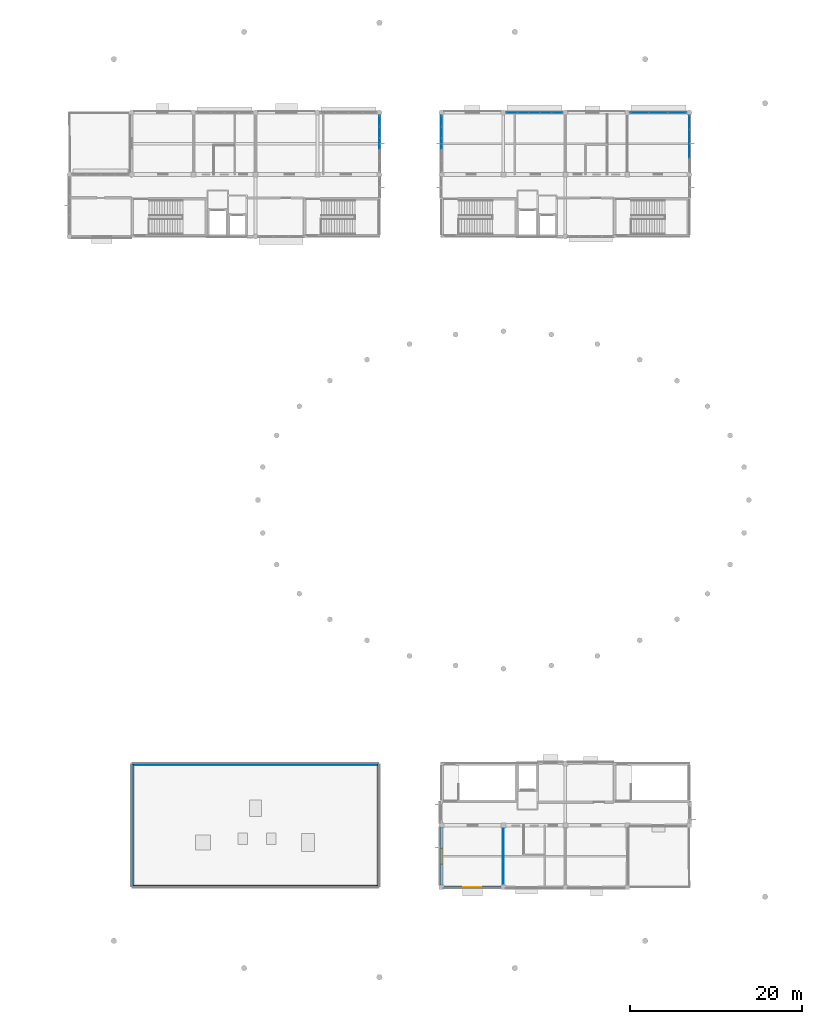
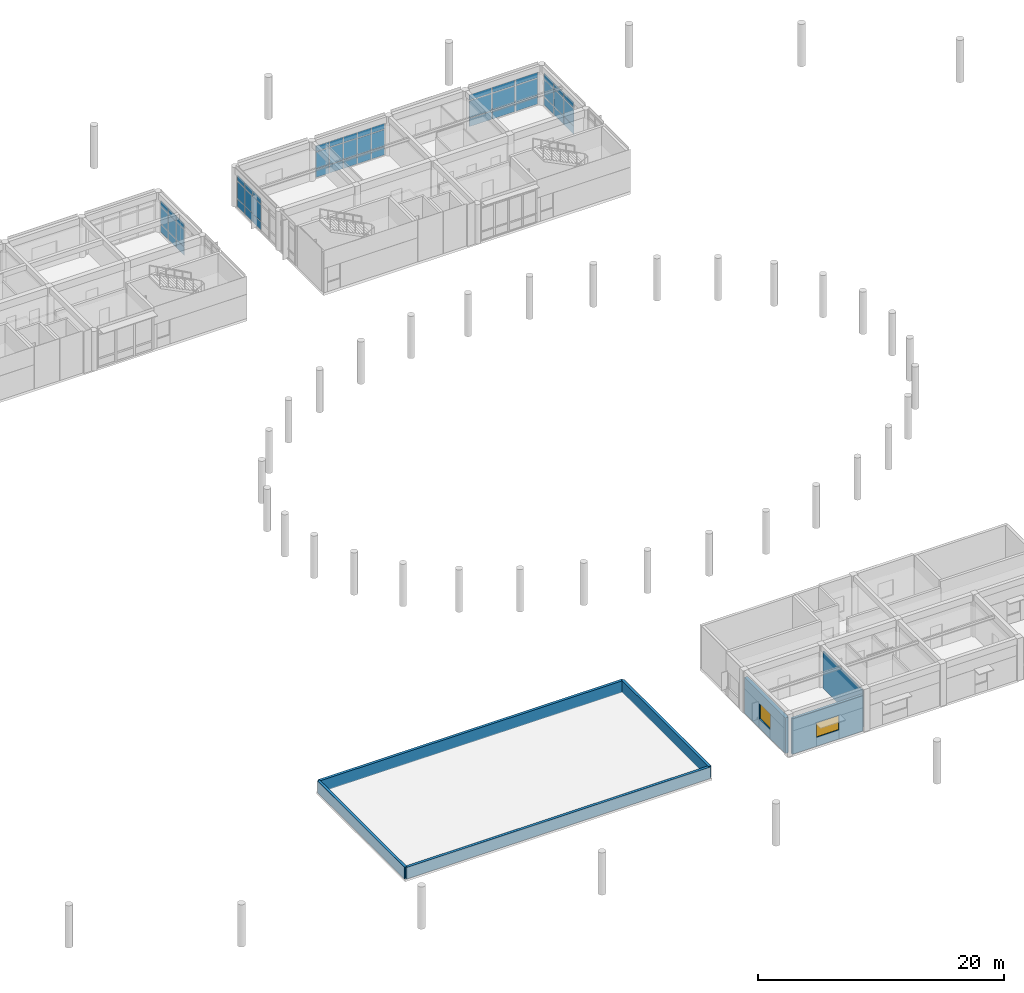
# One storey, part 11 of 29: 51 plates, 7 walls, 2 windows, 2 openings, 5 elements without a shape of their own.
"""IFC4 building model written with IfcOpenShell, lengths in metres."""

from ifc_helpers import new_model, si_unit, direction, frame, frame_2d, origin, origin_2d, place, context, subcontext, project, spatial, rectangle, extrude, material, layer, layer_set, type_object, element, fill, aggregate, save


model = new_model("IFC4")

# Units and contexts
model_context = context("Model", 3, precision=1e-05, world=origin(), true_north=direction((0.0, 1.0)))
body_context = subcontext(model_context, "Body", "Model", "MODEL_VIEW")
ifc_project = project(units=[si_unit("LENGTHUNIT", "METRE"), si_unit("AREAUNIT", "SQUARE_METRE"), si_unit("VOLUMEUNIT", "CUBIC_METRE"), si_unit("PLANEANGLEUNIT", "RADIAN"), si_unit("MASSUNIT", "GRAM", prefix="KILO")], contexts=[model_context])

# Site, building, storey
site_placement = place(None, origin())
site = spatial("IfcSite", under=ifc_project, at=site_placement, CompositionType="ELEMENT")
building_placement = place(site_placement, origin())
building = spatial("IfcBuilding", under=site, at=building_placement, Name="Namkhue Oval Health Centre", CompositionType="ELEMENT")
storey_placement = place(building_placement, frame((0.0, 0.0, 18.0)))
storey = spatial("IfcBuildingStorey", under=building, at=storey_placement, Name="L04", CompositionType="ELEMENT", Elevation=18.0)

# Curtain wall, plates
ifc_material_1 = material(Name="Anodised aluminium EN AW-6063 T6", Category="aluminium")
ifc_layer_1 = layer(ifc_material_1, 0.159912109375)
ifc_layer_set_1 = layer_set([ifc_layer_1], Name="Anodised aluminium EN AW-6063 T6")
curtain_wall_type_1 = type_object("IfcCurtainWallType", Name="UNITISED CURTAIN WALL M1800", PredefinedType="NOTDEFINED", material=ifc_layer_set_1)
curtain_wall_1_placement = place(storey_placement, origin())
curtain_wall_1 = element("IfcCurtainWall", 1, at=curtain_wall_1_placement, inside=storey, type_object=curtain_wall_type_1, Name="Volume V3 L04 Unitised Curtain Wall 125", PredefinedType="NOTDEFINED")
ifc_material_2 = material(Name="Thermally broken low-E laminated double glazing", Category="glass")
ifc_layer_2 = layer(ifc_material_2, 0.02587890625)
ifc_layer_set_2 = layer_set([ifc_layer_2], Name="Thermally broken low-E laminated double glazing")
plate_type_1 = type_object("IfcPlateType", Name="CURTAIN WALL GLAZED PANEL 26", PredefinedType="CURTAIN_PANEL", material=ifc_layer_set_2)
plate_1_placement = place(storey_placement, frame((122.39990234375, 99.9775390625, 0.06494140625), z_axis=(0.0, 0.0, 1.0), x_axis=(0.0, 1.0, 0.0)))
plate_1 = element("IfcPlate", 2, at=plate_1_placement, type_object=plate_type_1, Name="CW-05 panel 2.1", PredefinedType="CURTAIN_PANEL", context=body_context, shape_type="SweptSolid", body=[
    extrude(rectangle(XDim=1.580078125, YDim=0.02587890625, at=origin_2d()), origin(), (0.0, 0.0, 1.0), 0.802490234375),
])
plate_2_placement = place(storey_placement, frame((122.39990234375, 99.9775390625, 0.932373046875), z_axis=(0.0, 0.0, 1.0), x_axis=(0.0, 1.0, 0.0)))
plate_2 = element("IfcPlate", 3, at=plate_2_placement, type_object=plate_type_1, Name="CW-05 panel 2.2", PredefinedType="CURTAIN_PANEL", context=body_context, shape_type="SweptSolid", body=[
    extrude(rectangle(XDim=1.580078125, YDim=0.02587890625, at=origin_2d()), origin(), (0.0, 0.0, 1.0), 1.68701171875),
])
plate_3_placement = place(storey_placement, frame((122.39990234375, 99.9775390625, 2.6845703125), z_axis=(0.0, 0.0, 1.0), x_axis=(0.0, 1.0, 0.0)))
plate_3 = element("IfcPlate", 4, at=plate_3_placement, type_object=plate_type_1, Name="CW-05 panel 2.3", PredefinedType="CURTAIN_PANEL", context=body_context, shape_type="SweptSolid", body=[
    extrude(rectangle(XDim=1.580078125, YDim=0.02587890625, at=origin_2d()), origin(), (0.0, 0.0, 1.0), 0.552490234375),
])
plate_4_placement = place(storey_placement, frame((122.39990234375, 101.62255859375, 0.06494140625), z_axis=(0.0, 0.0, 1.0), x_axis=(0.0, 1.0, 0.0)))
plate_4 = element("IfcPlate", 5, at=plate_4_placement, type_object=plate_type_1, Name="CW-05 panel 3.1", PredefinedType="CURTAIN_PANEL", context=body_context, shape_type="SweptSolid", body=[
    extrude(rectangle(XDim=1.580078125, YDim=0.02587890625, at=origin_2d()), origin(), (0.0, 0.0, 1.0), 0.802490234375),
])
plate_5_placement = place(storey_placement, frame((122.39990234375, 101.62255859375, 0.932373046875), z_axis=(0.0, 0.0, 1.0), x_axis=(0.0, 1.0, 0.0)))
plate_5 = element("IfcPlate", 6, at=plate_5_placement, type_object=plate_type_1, Name="CW-05 panel 3.2", PredefinedType="CURTAIN_PANEL", context=body_context, shape_type="SweptSolid", body=[
    extrude(rectangle(XDim=1.580078125, YDim=0.02587890625, at=origin_2d()), origin(), (0.0, 0.0, 1.0), 1.68701171875),
])
plate_6_placement = place(storey_placement, frame((122.39990234375, 101.62255859375, 2.6845703125), z_axis=(0.0, 0.0, 1.0), x_axis=(0.0, 1.0, 0.0)))
plate_6 = element("IfcPlate", 7, at=plate_6_placement, type_object=plate_type_1, Name="CW-05 panel 3.3", PredefinedType="CURTAIN_PANEL", context=body_context, shape_type="SweptSolid", body=[
    extrude(rectangle(XDim=1.580078125, YDim=0.02587890625, at=origin_2d()), origin(), (0.0, 0.0, 1.0), 0.552490234375),
])
plate_7_placement = place(storey_placement, frame((122.39990234375, 103.251220703125, 0.06494140625), z_axis=(0.0, 0.0, 1.0), x_axis=(0.0, 1.0, 0.0)))
plate_7 = element("IfcPlate", 8, at=plate_7_placement, type_object=plate_type_1, Name="CW-05 panel 4.1", PredefinedType="CURTAIN_PANEL", context=body_context, shape_type="SweptSolid", body=[
    extrude(rectangle(XDim=1.547607421875, YDim=0.02587890625, at=origin_2d()), origin(), (0.0, 0.0, 1.0), 0.802490234375),
])
plate_8_placement = place(storey_placement, frame((122.39990234375, 103.251220703125, 0.932373046875), z_axis=(0.0, 0.0, 1.0), x_axis=(0.0, 1.0, 0.0)))
plate_8 = element("IfcPlate", 9, at=plate_8_placement, type_object=plate_type_1, Name="CW-05 panel 4.2", PredefinedType="CURTAIN_PANEL", context=body_context, shape_type="SweptSolid", body=[
    extrude(rectangle(XDim=1.547607421875, YDim=0.02587890625, at=origin_2d()), origin(), (0.0, 0.0, 1.0), 1.68701171875),
])
plate_9_placement = place(storey_placement, frame((122.39990234375, 103.251220703125, 2.6845703125), z_axis=(0.0, 0.0, 1.0), x_axis=(0.0, 1.0, 0.0)))
plate_9 = element("IfcPlate", 10, at=plate_9_placement, type_object=plate_type_1, Name="CW-05 panel 4.3", PredefinedType="CURTAIN_PANEL", context=body_context, shape_type="SweptSolid", body=[
    extrude(rectangle(XDim=1.547607421875, YDim=0.02587890625, at=origin_2d()), origin(), (0.0, 0.0, 1.0), 0.552490234375),
])
aggregate(curtain_wall_1, [plate_1, plate_2, plate_3, plate_4, plate_5, plate_6, plate_7, plate_8, plate_9])

ifc_layer_3 = layer(ifc_material_1, 0.159912109375)
ifc_layer_set_3 = layer_set([ifc_layer_3], Name="Anodised aluminium EN AW-6063 T6")
curtain_wall_type_2 = type_object("IfcCurtainWallType", Name="UNITISED CURTAIN WALL M2000", PredefinedType="NOTDEFINED", material=ifc_layer_set_3)
curtain_wall_2_placement = place(storey_placement, origin())
curtain_wall_2 = element("IfcCurtainWall", 11, at=curtain_wall_2_placement, inside=storey, type_object=curtain_wall_type_2, Name="Volume V3 L04 Unitised Curtain Wall 126", PredefinedType="NOTDEFINED")
ifc_layer_4 = layer(ifc_material_2, 0.028076171875)
ifc_layer_set_4 = layer_set([ifc_layer_4], Name="Thermally broken low-E laminated double glazing")
plate_type_2 = type_object("IfcPlateType", Name="CURTAIN WALL GLAZED PANEL 28", PredefinedType="CURTAIN_PANEL", material=ifc_layer_set_4)
plate_10_placement = place(storey_placement, frame((120.974609375, 104.39990234375, 0.074951171875), z_axis=(0.0, 0.0, 1.0), x_axis=(-1.0, 0.0, 0.0)))
plate_10 = element("IfcPlate", 12, at=plate_10_placement, type_object=plate_type_2, Name="CW-06 panel 1.1", PredefinedType="CURTAIN_PANEL", context=body_context, shape_type="SweptSolid", body=[
    extrude(rectangle(XDim=2.080810546875, YDim=0.028076171875, at=origin_2d()), origin(), (0.0, 0.0, 1.0), 0.78759765625),
])
plate_11_placement = place(storey_placement, frame((120.974609375, 104.39990234375, 0.9375), z_axis=(0.0, 0.0, 1.0), x_axis=(-1.0, 0.0, 0.0)))
plate_11 = element("IfcPlate", 13, at=plate_11_placement, type_object=plate_type_2, Name="CW-06 panel 1.2", PredefinedType="CURTAIN_PANEL", context=body_context, shape_type="SweptSolid", body=[
    extrude(rectangle(XDim=2.080810546875, YDim=0.028076171875, at=origin_2d()), origin(), (0.0, 0.0, 1.0), 1.677001953125),
])
plate_12_placement = place(storey_placement, frame((120.974609375, 104.39990234375, 2.689453125), z_axis=(0.0, 0.0, 1.0), x_axis=(-1.0, 0.0, 0.0)))
plate_12 = element("IfcPlate", 14, at=plate_12_placement, type_object=plate_type_2, Name="CW-06 panel 1.3", PredefinedType="CURTAIN_PANEL", context=body_context, shape_type="SweptSolid", body=[
    extrude(rectangle(XDim=2.080810546875, YDim=0.028076171875, at=origin_2d()), origin(), (0.0, 0.0, 1.0), 0.53759765625),
])
plate_13_placement = place(storey_placement, frame((118.800048828125, 104.39990234375, 0.074951171875), z_axis=(0.0, 0.0, 1.0), x_axis=(-1.0, 0.0, 0.0)))
plate_13 = element("IfcPlate", 15, at=plate_13_placement, type_object=plate_type_2, Name="CW-06 panel 2.1", PredefinedType="CURTAIN_PANEL", context=body_context, shape_type="SweptSolid", body=[
    extrude(rectangle(XDim=2.118408203125, YDim=0.028076171875, at=origin_2d()), origin(), (0.0, 0.0, 1.0), 0.78759765625),
])
plate_14_placement = place(storey_placement, frame((118.800048828125, 104.39990234375, 0.9375), z_axis=(0.0, 0.0, 1.0), x_axis=(-1.0, 0.0, 0.0)))
plate_14 = element("IfcPlate", 16, at=plate_14_placement, type_object=plate_type_2, Name="CW-06 panel 2.2", PredefinedType="CURTAIN_PANEL", context=body_context, shape_type="SweptSolid", body=[
    extrude(rectangle(XDim=2.118408203125, YDim=0.028076171875, at=origin_2d()), origin(), (0.0, 0.0, 1.0), 1.677001953125),
])
plate_15_placement = place(storey_placement, frame((118.800048828125, 104.39990234375, 2.689453125), z_axis=(0.0, 0.0, 1.0), x_axis=(-1.0, 0.0, 0.0)))
plate_15 = element("IfcPlate", 17, at=plate_15_placement, type_object=plate_type_2, Name="CW-06 panel 2.3", PredefinedType="CURTAIN_PANEL", context=body_context, shape_type="SweptSolid", body=[
    extrude(rectangle(XDim=2.118408203125, YDim=0.028076171875, at=origin_2d()), origin(), (0.0, 0.0, 1.0), 0.53759765625),
])
plate_16_placement = place(storey_placement, frame((116.62548828125, 104.39990234375, 0.074951171875), z_axis=(0.0, 0.0, 1.0), x_axis=(-1.0, 0.0, 0.0)))
plate_16 = element("IfcPlate", 18, at=plate_16_placement, type_object=plate_type_2, Name="CW-06 panel 3.1", PredefinedType="CURTAIN_PANEL", context=body_context, shape_type="SweptSolid", body=[
    extrude(rectangle(XDim=2.080810546875, YDim=0.028076171875, at=origin_2d()), origin(), (0.0, 0.0, 1.0), 0.78759765625),
])
plate_17_placement = place(storey_placement, frame((116.62548828125, 104.39990234375, 0.9375), z_axis=(0.0, 0.0, 1.0), x_axis=(-1.0, 0.0, 0.0)))
plate_17 = element("IfcPlate", 19, at=plate_17_placement, type_object=plate_type_2, Name="CW-06 panel 3.2", PredefinedType="CURTAIN_PANEL", context=body_context, shape_type="SweptSolid", body=[
    extrude(rectangle(XDim=2.080810546875, YDim=0.028076171875, at=origin_2d()), origin(), (0.0, 0.0, 1.0), 1.677001953125),
])
plate_18_placement = place(storey_placement, frame((116.62548828125, 104.39990234375, 2.689453125), z_axis=(0.0, 0.0, 1.0), x_axis=(-1.0, 0.0, 0.0)))
plate_18 = element("IfcPlate", 20, at=plate_18_placement, type_object=plate_type_2, Name="CW-06 panel 3.3", PredefinedType="CURTAIN_PANEL", context=body_context, shape_type="SweptSolid", body=[
    extrude(rectangle(XDim=2.080810546875, YDim=0.028076171875, at=origin_2d()), origin(), (0.0, 0.0, 1.0), 0.53759765625),
])
aggregate(curtain_wall_2, [plate_10, plate_11, plate_12, plate_13, plate_14, plate_15, plate_16, plate_17, plate_18])

ifc_layer_5 = layer(ifc_material_1, 0.159912109375)
ifc_layer_set_5 = layer_set([ifc_layer_5], Name="Anodised aluminium EN AW-6063 T6")
curtain_wall_type_3 = type_object("IfcCurtainWallType", Name="UNITISED CURTAIN WALL M1200", PredefinedType="NOTDEFINED", material=ifc_layer_set_5)
curtain_wall_3_placement = place(storey_placement, origin())
curtain_wall_3 = element("IfcCurtainWall", 21, at=curtain_wall_3_placement, inside=storey, type_object=curtain_wall_type_3, Name="Volume V3 L04 Unitised Curtain Wall 127", PredefinedType="NOTDEFINED")
ifc_material_3 = material(Name="Insulated anodised aluminium spandrel panel", Category="aluminium")
ifc_layer_6 = layer(ifc_material_3, 0.031982421875)
ifc_layer_set_6 = layer_set([ifc_layer_6], Name="Insulated anodised aluminium spandrel panel")
plate_type_3 = type_object("IfcPlateType", Name="CURTAIN WALL SPANDREL PANEL 32", PredefinedType="CURTAIN_PANEL", material=ifc_layer_set_6)
plate_19_placement = place(storey_placement, frame((107.015869140625, 104.39990234375, 0.06494140625), z_axis=(0.0, 0.0, 1.0), x_axis=(-1.0, 0.0, 0.0)))
plate_19 = element("IfcPlate", 22, at=plate_19_placement, type_object=plate_type_3, Name="CW-01 panel 1.1", PredefinedType="CURTAIN_PANEL", context=body_context, shape_type="SweptSolid", body=[
    extrude(rectangle(XDim=1.218505859375, YDim=0.031982421875, at=origin_2d()), origin(), (0.0, 0.0, 1.0), 0.802490234375),
])
plate_20_placement = place(storey_placement, frame((107.015869140625, 104.39990234375, 0.9326171875), z_axis=(0.0, 0.0, 1.0), x_axis=(-1.0, 0.0, 0.0)))
plate_20 = element("IfcPlate", 23, at=plate_20_placement, type_object=plate_type_3, Name="CW-01 panel 1.2", PredefinedType="CURTAIN_PANEL", context=body_context, shape_type="SweptSolid", body=[
    extrude(rectangle(XDim=1.218505859375, YDim=0.031982421875, at=origin_2d()), origin(), (0.0, 0.0, 1.0), 1.64990234375),
])
plate_21_placement = place(storey_placement, frame((107.015869140625, 104.39990234375, 2.6474609375), z_axis=(0.0, 0.0, 1.0), x_axis=(-1.0, 0.0, 0.0)))
plate_21 = element("IfcPlate", 24, at=plate_21_placement, type_object=plate_type_3, Name="CW-01 panel 1.3", PredefinedType="CURTAIN_PANEL", context=body_context, shape_type="SweptSolid", body=[
    extrude(rectangle(XDim=1.218505859375, YDim=0.031982421875, at=origin_2d()), origin(), (0.0, 0.0, 1.0), 0.552490234375),
])
plate_22_placement = place(storey_placement, frame((105.716064453125, 104.39990234375, 0.06494140625), z_axis=(0.0, 0.0, 1.0), x_axis=(-1.0, 0.0, 0.0)))
plate_22 = element("IfcPlate", 25, at=plate_22_placement, type_object=plate_type_3, Name="CW-01 panel 2.1", PredefinedType="CURTAIN_PANEL", context=body_context, shape_type="SweptSolid", body=[
    extrude(rectangle(XDim=1.2509765625, YDim=0.031982421875, at=origin_2d()), origin(), (0.0, 0.0, 1.0), 0.802490234375),
])
plate_23_placement = place(storey_placement, frame((105.716064453125, 104.39990234375, 0.9326171875), z_axis=(0.0, 0.0, 1.0), x_axis=(-1.0, 0.0, 0.0)))
plate_23 = element("IfcPlate", 26, at=plate_23_placement, type_object=plate_type_3, Name="CW-01 panel 2.2", PredefinedType="CURTAIN_PANEL", context=body_context, shape_type="SweptSolid", body=[
    extrude(rectangle(XDim=1.2509765625, YDim=0.031982421875, at=origin_2d()), origin(), (0.0, 0.0, 1.0), 1.64990234375),
])
plate_24_placement = place(storey_placement, frame((105.716064453125, 104.39990234375, 2.6474609375), z_axis=(0.0, 0.0, 1.0), x_axis=(-1.0, 0.0, 0.0)))
plate_24 = element("IfcPlate", 27, at=plate_24_placement, type_object=plate_type_3, Name="CW-01 panel 2.3", PredefinedType="CURTAIN_PANEL", context=body_context, shape_type="SweptSolid", body=[
    extrude(rectangle(XDim=1.2509765625, YDim=0.031982421875, at=origin_2d()), origin(), (0.0, 0.0, 1.0), 0.552490234375),
])
plate_25_placement = place(storey_placement, frame((104.39990234375, 104.39990234375, 0.06494140625), z_axis=(0.0, 0.0, 1.0), x_axis=(-1.0, 0.0, 0.0)))
plate_25 = element("IfcPlate", 28, at=plate_25_placement, type_object=plate_type_3, Name="CW-01 panel 3.1", PredefinedType="CURTAIN_PANEL", context=body_context, shape_type="SweptSolid", body=[
    extrude(rectangle(XDim=1.2509765625, YDim=0.031982421875, at=origin_2d()), origin(), (0.0, 0.0, 1.0), 0.802490234375),
])
plate_26_placement = place(storey_placement, frame((104.39990234375, 104.39990234375, 0.9326171875), z_axis=(0.0, 0.0, 1.0), x_axis=(-1.0, 0.0, 0.0)))
plate_26 = element("IfcPlate", 29, at=plate_26_placement, type_object=plate_type_3, Name="CW-01 panel 3.2", PredefinedType="CURTAIN_PANEL", context=body_context, shape_type="SweptSolid", body=[
    extrude(rectangle(XDim=1.2509765625, YDim=0.031982421875, at=origin_2d()), origin(), (0.0, 0.0, 1.0), 1.64990234375),
])
plate_27_placement = place(storey_placement, frame((104.39990234375, 104.39990234375, 2.6474609375), z_axis=(0.0, 0.0, 1.0), x_axis=(-1.0, 0.0, 0.0)))
plate_27 = element("IfcPlate", 30, at=plate_27_placement, type_object=plate_type_3, Name="CW-01 panel 3.3", PredefinedType="CURTAIN_PANEL", context=body_context, shape_type="SweptSolid", body=[
    extrude(rectangle(XDim=1.2509765625, YDim=0.031982421875, at=origin_2d()), origin(), (0.0, 0.0, 1.0), 0.552490234375),
])
plate_28_placement = place(storey_placement, frame((103.083984375, 104.39990234375, 0.06494140625), z_axis=(0.0, 0.0, 1.0), x_axis=(-1.0, 0.0, 0.0)))
plate_28 = element("IfcPlate", 31, at=plate_28_placement, type_object=plate_type_3, Name="CW-01 panel 4.1", PredefinedType="CURTAIN_PANEL", context=body_context, shape_type="SweptSolid", body=[
    extrude(rectangle(XDim=1.2509765625, YDim=0.031982421875, at=origin_2d()), origin(), (0.0, 0.0, 1.0), 0.802490234375),
])
plate_29_placement = place(storey_placement, frame((103.083984375, 104.39990234375, 0.9326171875), z_axis=(0.0, 0.0, 1.0), x_axis=(-1.0, 0.0, 0.0)))
plate_29 = element("IfcPlate", 32, at=plate_29_placement, type_object=plate_type_3, Name="CW-01 panel 4.2", PredefinedType="CURTAIN_PANEL", context=body_context, shape_type="SweptSolid", body=[
    extrude(rectangle(XDim=1.2509765625, YDim=0.031982421875, at=origin_2d()), origin(), (0.0, 0.0, 1.0), 1.64990234375),
])
plate_30_placement = place(storey_placement, frame((103.083984375, 104.39990234375, 2.6474609375), z_axis=(0.0, 0.0, 1.0), x_axis=(-1.0, 0.0, 0.0)))
plate_30 = element("IfcPlate", 33, at=plate_30_placement, type_object=plate_type_3, Name="CW-01 panel 4.3", PredefinedType="CURTAIN_PANEL", context=body_context, shape_type="SweptSolid", body=[
    extrude(rectangle(XDim=1.2509765625, YDim=0.031982421875, at=origin_2d()), origin(), (0.0, 0.0, 1.0), 0.552490234375),
])
plate_31_placement = place(storey_placement, frame((101.7841796875, 104.39990234375, 0.06494140625), z_axis=(0.0, 0.0, 1.0), x_axis=(-1.0, 0.0, 0.0)))
plate_31 = element("IfcPlate", 34, at=plate_31_placement, type_object=plate_type_3, Name="CW-01 panel 5.1", PredefinedType="CURTAIN_PANEL", context=body_context, shape_type="SweptSolid", body=[
    extrude(rectangle(XDim=1.218505859375, YDim=0.031982421875, at=origin_2d()), origin(), (0.0, 0.0, 1.0), 0.802490234375),
])
plate_32_placement = place(storey_placement, frame((101.7841796875, 104.39990234375, 0.9326171875), z_axis=(0.0, 0.0, 1.0), x_axis=(-1.0, 0.0, 0.0)))
plate_32 = element("IfcPlate", 35, at=plate_32_placement, type_object=plate_type_3, Name="CW-01 panel 5.2", PredefinedType="CURTAIN_PANEL", context=body_context, shape_type="SweptSolid", body=[
    extrude(rectangle(XDim=1.218505859375, YDim=0.031982421875, at=origin_2d()), origin(), (0.0, 0.0, 1.0), 1.64990234375),
])
plate_33_placement = place(storey_placement, frame((101.7841796875, 104.39990234375, 2.6474609375), z_axis=(0.0, 0.0, 1.0), x_axis=(-1.0, 0.0, 0.0)))
plate_33 = element("IfcPlate", 36, at=plate_33_placement, type_object=plate_type_3, Name="CW-01 panel 5.3", PredefinedType="CURTAIN_PANEL", context=body_context, shape_type="SweptSolid", body=[
    extrude(rectangle(XDim=1.218505859375, YDim=0.031982421875, at=origin_2d()), origin(), (0.0, 0.0, 1.0), 0.552490234375),
])
aggregate(curtain_wall_3, [plate_19, plate_20, plate_21, plate_22, plate_23, plate_24, plate_25, plate_26, plate_27, plate_28, plate_29, plate_30, plate_31, plate_32, plate_33])

ifc_layer_7 = layer(ifc_material_1, 0.159912109375)
ifc_layer_set_7 = layer_set([ifc_layer_7], Name="Anodised aluminium EN AW-6063 T6")
curtain_wall_type_4 = type_object("IfcCurtainWallType", Name="UNITISED CURTAIN WALL M1350", PredefinedType="NOTDEFINED", material=ifc_layer_set_7)
curtain_wall_4_placement = place(storey_placement, origin())
curtain_wall_4 = element("IfcCurtainWall", 37, at=curtain_wall_4_placement, inside=storey, type_object=curtain_wall_type_4, Name="Volume V2 L04 Unitised Curtain Wall 80", PredefinedType="NOTDEFINED")
ifc_layer_8 = layer(ifc_material_3, 0.035888671875)
ifc_layer_set_8 = layer_set([ifc_layer_8], Name="Insulated anodised aluminium spandrel panel")
plate_type_4 = type_object("IfcPlateType", Name="CURTAIN WALL SPANDREL PANEL 36", PredefinedType="CURTAIN_PANEL", material=ifc_layer_set_8)
plate_34_placement = place(storey_placement, frame((86.39990234375, 100.800048828125, 0.074951171875), z_axis=(0.0, 0.0, 1.0), x_axis=(0.0, 1.0, 0.0)))
plate_34 = element("IfcPlate", 38, at=plate_34_placement, type_object=plate_type_4, Name="CW-02 panel 3.1", PredefinedType="CURTAIN_PANEL", context=body_context, shape_type="SweptSolid", body=[
    extrude(rectangle(XDim=1.240966796875, YDim=0.035888671875, at=origin_2d()), origin(), (0.0, 0.0, 1.0), 0.78759765625),
])
plate_35_placement = place(storey_placement, frame((86.39990234375, 100.800048828125, 0.9375), z_axis=(0.0, 0.0, 1.0), x_axis=(0.0, 1.0, 0.0)))
plate_35 = element("IfcPlate", 39, at=plate_35_placement, type_object=plate_type_4, Name="CW-02 panel 3.2", PredefinedType="CURTAIN_PANEL", context=body_context, shape_type="SweptSolid", body=[
    extrude(rectangle(XDim=1.240966796875, YDim=0.035888671875, at=origin_2d()), origin(), (0.0, 0.0, 1.0), 1.6650390625),
])
plate_36_placement = place(storey_placement, frame((86.39990234375, 100.800048828125, 2.677490234375), z_axis=(0.0, 0.0, 1.0), x_axis=(0.0, 1.0, 0.0)))
plate_36 = element("IfcPlate", 40, at=plate_36_placement, type_object=plate_type_4, Name="CW-02 panel 3.3", PredefinedType="CURTAIN_PANEL", context=body_context, shape_type="SweptSolid", body=[
    extrude(rectangle(XDim=1.240966796875, YDim=0.035888671875, at=origin_2d()), origin(), (0.0, 0.0, 1.0), 0.53759765625),
])
plate_37_placement = place(storey_placement, frame((86.39990234375, 102.115966796875, 0.074951171875), z_axis=(0.0, 0.0, 1.0), x_axis=(0.0, 1.0, 0.0)))
plate_37 = element("IfcPlate", 41, at=plate_37_placement, type_object=plate_type_4, Name="CW-02 panel 4.1", PredefinedType="CURTAIN_PANEL", context=body_context, shape_type="SweptSolid", body=[
    extrude(rectangle(XDim=1.240966796875, YDim=0.035888671875, at=origin_2d()), origin(), (0.0, 0.0, 1.0), 0.78759765625),
])
plate_38_placement = place(storey_placement, frame((86.39990234375, 102.115966796875, 0.9375), z_axis=(0.0, 0.0, 1.0), x_axis=(0.0, 1.0, 0.0)))
plate_38 = element("IfcPlate", 42, at=plate_38_placement, type_object=plate_type_4, Name="CW-02 panel 4.2", PredefinedType="CURTAIN_PANEL", context=body_context, shape_type="SweptSolid", body=[
    extrude(rectangle(XDim=1.240966796875, YDim=0.035888671875, at=origin_2d()), origin(), (0.0, 0.0, 1.0), 1.6650390625),
])
plate_39_placement = place(storey_placement, frame((86.39990234375, 102.115966796875, 2.677490234375), z_axis=(0.0, 0.0, 1.0), x_axis=(0.0, 1.0, 0.0)))
plate_39 = element("IfcPlate", 43, at=plate_39_placement, type_object=plate_type_4, Name="CW-02 panel 4.3", PredefinedType="CURTAIN_PANEL", context=body_context, shape_type="SweptSolid", body=[
    extrude(rectangle(XDim=1.240966796875, YDim=0.035888671875, at=origin_2d()), origin(), (0.0, 0.0, 1.0), 0.53759765625),
])
plate_40_placement = place(storey_placement, frame((86.39990234375, 103.413330078125, 0.074951171875), z_axis=(0.0, 0.0, 1.0), x_axis=(0.0, 1.0, 0.0)))
plate_40 = element("IfcPlate", 44, at=plate_40_placement, type_object=plate_type_4, Name="CW-02 panel 5.1", PredefinedType="CURTAIN_PANEL", context=body_context, shape_type="SweptSolid", body=[
    extrude(rectangle(XDim=1.20361328125, YDim=0.035888671875, at=origin_2d()), origin(), (0.0, 0.0, 1.0), 0.78759765625),
])
plate_41_placement = place(storey_placement, frame((86.39990234375, 103.413330078125, 0.9375), z_axis=(0.0, 0.0, 1.0), x_axis=(0.0, 1.0, 0.0)))
plate_41 = element("IfcPlate", 45, at=plate_41_placement, type_object=plate_type_4, Name="CW-02 panel 5.2", PredefinedType="CURTAIN_PANEL", context=body_context, shape_type="SweptSolid", body=[
    extrude(rectangle(XDim=1.20361328125, YDim=0.035888671875, at=origin_2d()), origin(), (0.0, 0.0, 1.0), 1.6650390625),
])
plate_42_placement = place(storey_placement, frame((86.39990234375, 103.413330078125, 2.677490234375), z_axis=(0.0, 0.0, 1.0), x_axis=(0.0, 1.0, 0.0)))
plate_42 = element("IfcPlate", 46, at=plate_42_placement, type_object=plate_type_4, Name="CW-02 panel 5.3", PredefinedType="CURTAIN_PANEL", context=body_context, shape_type="SweptSolid", body=[
    extrude(rectangle(XDim=1.20361328125, YDim=0.035888671875, at=origin_2d()), origin(), (0.0, 0.0, 1.0), 0.53759765625),
])
aggregate(curtain_wall_4, [plate_34, plate_35, plate_36, plate_37, plate_38, plate_39, plate_40, plate_41, plate_42])

curtain_wall_5_placement = place(storey_placement, origin())
curtain_wall_5 = element("IfcCurtainWall", 47, at=curtain_wall_5_placement, inside=storey, type_object=curtain_wall_type_4, Name="Volume V3 L04 Unitised Curtain Wall 128", PredefinedType="NOTDEFINED")
plate_43_placement = place(storey_placement, frame((93.60009765625, 103.413330078125, 0.074951171875), z_axis=(0.0, 0.0, 1.0), x_axis=(0.0, -1.0, 0.0)))
plate_43 = element("IfcPlate", 48, at=plate_43_placement, type_object=plate_type_4, Name="CW-02 panel 1.1", PredefinedType="CURTAIN_PANEL", context=body_context, shape_type="SweptSolid", body=[
    extrude(rectangle(XDim=1.20361328125, YDim=0.035888671875, at=origin_2d()), origin(), (0.0, 0.0, 1.0), 0.78759765625),
])
plate_44_placement = place(storey_placement, frame((93.60009765625, 103.413330078125, 0.9375), z_axis=(0.0, 0.0, 1.0), x_axis=(0.0, -1.0, 0.0)))
plate_44 = element("IfcPlate", 49, at=plate_44_placement, type_object=plate_type_4, Name="CW-02 panel 1.2", PredefinedType="CURTAIN_PANEL", context=body_context, shape_type="SweptSolid", body=[
    extrude(rectangle(XDim=1.20361328125, YDim=0.035888671875, at=origin_2d()), origin(), (0.0, 0.0, 1.0), 1.639892578125),
])
plate_45_placement = place(storey_placement, frame((93.60009765625, 103.413330078125, 2.65234375), z_axis=(0.0, 0.0, 1.0), x_axis=(0.0, -1.0, 0.0)))
plate_45 = element("IfcPlate", 50, at=plate_45_placement, type_object=plate_type_4, Name="CW-02 panel 1.3", PredefinedType="CURTAIN_PANEL", context=body_context, shape_type="SweptSolid", body=[
    extrude(rectangle(XDim=1.20361328125, YDim=0.035888671875, at=origin_2d()), origin(), (0.0, 0.0, 1.0), 0.53759765625),
])
plate_46_placement = place(storey_placement, frame((93.60009765625, 102.115966796875, 0.074951171875), z_axis=(0.0, 0.0, 1.0), x_axis=(0.0, -1.0, 0.0)))
plate_46 = element("IfcPlate", 51, at=plate_46_placement, type_object=plate_type_4, Name="CW-02 panel 2.1", PredefinedType="CURTAIN_PANEL", context=body_context, shape_type="SweptSolid", body=[
    extrude(rectangle(XDim=1.240966796875, YDim=0.035888671875, at=origin_2d()), origin(), (0.0, 0.0, 1.0), 0.78759765625),
])
plate_47_placement = place(storey_placement, frame((93.60009765625, 102.115966796875, 0.9375), z_axis=(0.0, 0.0, 1.0), x_axis=(0.0, -1.0, 0.0)))
plate_47 = element("IfcPlate", 52, at=plate_47_placement, type_object=plate_type_4, Name="CW-02 panel 2.2", PredefinedType="CURTAIN_PANEL", context=body_context, shape_type="SweptSolid", body=[
    extrude(rectangle(XDim=1.240966796875, YDim=0.035888671875, at=origin_2d()), origin(), (0.0, 0.0, 1.0), 1.639892578125),
])
plate_48_placement = place(storey_placement, frame((93.60009765625, 102.115966796875, 2.65234375), z_axis=(0.0, 0.0, 1.0), x_axis=(0.0, -1.0, 0.0)))
plate_48 = element("IfcPlate", 53, at=plate_48_placement, type_object=plate_type_4, Name="CW-02 panel 2.3", PredefinedType="CURTAIN_PANEL", context=body_context, shape_type="SweptSolid", body=[
    extrude(rectangle(XDim=1.240966796875, YDim=0.035888671875, at=origin_2d()), origin(), (0.0, 0.0, 1.0), 0.53759765625),
])
plate_49_placement = place(storey_placement, frame((93.60009765625, 100.800048828125, 0.074951171875), z_axis=(0.0, 0.0, 1.0), x_axis=(0.0, -1.0, 0.0)))
plate_49 = element("IfcPlate", 54, at=plate_49_placement, type_object=plate_type_4, Name="CW-02 panel 3.1", PredefinedType="CURTAIN_PANEL", context=body_context, shape_type="SweptSolid", body=[
    extrude(rectangle(XDim=1.240966796875, YDim=0.035888671875, at=origin_2d()), origin(), (0.0, 0.0, 1.0), 0.78759765625),
])
plate_50_placement = place(storey_placement, frame((93.60009765625, 100.800048828125, 0.9375), z_axis=(0.0, 0.0, 1.0), x_axis=(0.0, -1.0, 0.0)))
plate_50 = element("IfcPlate", 55, at=plate_50_placement, type_object=plate_type_4, Name="CW-02 panel 3.2", PredefinedType="CURTAIN_PANEL", context=body_context, shape_type="SweptSolid", body=[
    extrude(rectangle(XDim=1.240966796875, YDim=0.035888671875, at=origin_2d()), origin(), (0.0, 0.0, 1.0), 1.639892578125),
])
plate_51_placement = place(storey_placement, frame((93.60009765625, 100.800048828125, 2.65234375), z_axis=(0.0, 0.0, 1.0), x_axis=(0.0, -1.0, 0.0)))
plate_51 = element("IfcPlate", 56, at=plate_51_placement, type_object=plate_type_4, Name="CW-02 panel 3.3", PredefinedType="CURTAIN_PANEL", context=body_context, shape_type="SweptSolid", body=[
    extrude(rectangle(XDim=1.240966796875, YDim=0.035888671875, at=origin_2d()), origin(), (0.0, 0.0, 1.0), 0.53759765625),
])
aggregate(curtain_wall_5, [plate_43, plate_44, plate_45, plate_46, plate_47, plate_48, plate_49, plate_50, plate_51])

# Wall, opening, window
ifc_material_4 = material(Name="Autoclaved aerated concrete blockwork M7.5", Category="masonry")
ifc_layer_9 = layer(ifc_material_4, 0.219970703125)
ifc_layer_set_9 = layer_set([ifc_layer_9], Name="Autoclaved aerated concrete blockwork M7.5")
wall_type_1 = type_object("IfcWallType", Name="EXTERIOR ENVELOPE WALL 220", PredefinedType="STANDARD", material=ifc_layer_set_9)
wall_1_placement = place(storey_placement, frame((93.87109375, 14.39990234375, 0.0), z_axis=(0.0, 0.0, 1.0), x_axis=(1.0, 0.0, 0.0)))
wall_1 = element("IfcWall", 57, at=wall_1_placement, inside=storey, type_object=wall_type_1, Name="Volume V5 L04 Exterior Envelope Wall 149", PredefinedType="STANDARD", context=body_context, shape_type="SweptSolid", body=[
    extrude(rectangle(XDim=6.657958984375, YDim=0.219970703125, at=frame_2d((3.3291015625, 0.0))), origin(), (0.0, 0.0, 1.0), 3.550048828125),
])
opening_1_placement = place(wall_1_placement, frame((2.279052734375, 0.0, 0.89990234375)))
opening_1 = element("IfcOpeningElement", 58, at=opening_1_placement, cuts=wall_1, Name="Opening WN-19", PredefinedType="OPENING", context=body_context, shape_type="SweptSolid", body=[
    extrude(rectangle(XDim=2.10009765625, YDim=1.419921875, at=frame_2d((1.050048828125, 0.7099609375))), frame((0.0, 0.119873046875, 0.0), z_axis=(0.0, -1.0, 0.0), x_axis=(1.0, 0.0, 0.0)), (0.0, 0.0, 1.0), 0.239990234375),
])
window_type_1 = type_object("IfcWindowType", Name="EXTERIOR WINDOW 2100X1420", PartitioningType="SINGLE_PANEL", PredefinedType="WINDOW", material=ifc_material_2)
window_1_placement = place(opening_1_placement, origin())
window_1 = element("IfcWindow", 59, at=window_1_placement, inside=storey, type_object=window_type_1, Name="Volume V5 L04 Exterior Window 109", OverallHeight=1.419921875, OverallWidth=2.10009765625, PartitioningType="SINGLE_PANEL", PredefinedType="WINDOW", context=body_context, shape_type="SweptSolid", body=[
    extrude(rectangle(XDim=2.10009765625, YDim=1.419921875, at=frame_2d((1.050048828125, 0.7099609375))), frame((0.0, 0.030029296875, 0.0), z_axis=(0.0, -1.0, 0.0), x_axis=(1.0, 0.0, 0.0)), (0.0, 0.0, 1.0), 0.06005859375),
])
fill(opening_1, window_1)

ifc_layer_10 = layer(ifc_material_4, 0.31005859375)
ifc_layer_set_10 = layer_set([ifc_layer_10], Name="Autoclaved aerated concrete blockwork M7.5")
wall_type_2 = type_object("IfcWallType", Name="EXTERIOR ENVELOPE WALL 310", PredefinedType="STANDARD", material=ifc_layer_set_10)
wall_2_placement = place(storey_placement, frame((93.60009765625, 21.3291015625, 0.0), z_axis=(0.0, 0.0, 1.0), x_axis=(0.0, -1.0, 0.0)))
wall_2 = element("IfcWall", 60, at=wall_2_placement, inside=storey, type_object=wall_type_2, Name="Volume V5 L04 Exterior Envelope Wall 158", PredefinedType="STANDARD", context=body_context, shape_type="SweptSolid", body=[
    extrude(rectangle(XDim=6.658203125, YDim=0.31005859375, at=frame_2d((3.3291015625, 0.0))), origin(), (0.0, 0.0, 1.0), 3.550048828125),
])
opening_2_placement = place(wall_2_placement, frame((2.428955078125, 0.0, 0.89990234375)))
opening_2 = element("IfcOpeningElement", 61, at=opening_2_placement, cuts=wall_2, Name="Opening WN-27", PredefinedType="OPENING", context=body_context, shape_type="SweptSolid", body=[
    extrude(rectangle(XDim=1.800048828125, YDim=1.5400390625, at=frame_2d((0.89990234375, 0.77001953125))), frame((0.0, 0.1650390625, 0.0), z_axis=(0.0, -1.0, 0.0), x_axis=(1.0, 0.0, 0.0)), (0.0, 0.0, 1.0), 0.330078125),
])
window_type_2 = type_object("IfcWindowType", Name="EXTERIOR WINDOW 1800X1540", PartitioningType="SINGLE_PANEL", PredefinedType="WINDOW", material=ifc_material_2)
window_2_placement = place(opening_2_placement, origin())
window_2 = element("IfcWindow", 62, at=window_2_placement, inside=storey, type_object=window_type_2, Name="Volume V5 L04 Exterior Window 117", OverallHeight=1.5400390625, OverallWidth=1.800048828125, PartitioningType="SINGLE_PANEL", PredefinedType="WINDOW", context=body_context, shape_type="SweptSolid", body=[
    extrude(rectangle(XDim=1.800048828125, YDim=1.5400390625, at=frame_2d((0.89990234375, 0.77001953125))), frame((0.0, 0.030029296875, 0.0), z_axis=(0.0, -1.0, 0.0), x_axis=(1.0, 0.0, 0.0)), (0.0, 0.0, 1.0), 0.06005859375),
])
fill(opening_2, window_2)

# Walls
ifc_material_5 = material(Name="Gypsum plasterboard acoustic partition", Category="gypsum")
ifc_layer_11 = layer(ifc_material_5, 0.10009765625)
ifc_layer_set_11 = layer_set([ifc_layer_11], Name="Gypsum plasterboard acoustic partition")
wall_type_3 = type_object("IfcWallType", Name="INTERIOR PARTITION WALL 100", PredefinedType="PARTITIONING", material=ifc_layer_set_11)
wall_3_placement = place(storey_placement, frame((100.800048828125, 14.788818359375, 0.0), z_axis=(0.0, 0.0, 1.0), x_axis=(0.0, 1.0, 0.0)))
element("IfcWall", 63, at=wall_3_placement, inside=storey, type_object=wall_type_3, Name="Volume V5 L04 Clinical Partition Wall 246", PredefinedType="PARTITIONING", context=body_context, shape_type="SweptSolid", body=[
    extrude(rectangle(XDim=6.42236328125, YDim=0.10009765625, at=frame_2d((3.211181640625, 0.0))), origin(), (0.0, 0.0, 1.0), 3.64990234375),
])
ifc_material_6 = material(Name="Precast architectural concrete C35/45 (TCVN B40)", Category="concrete")
ifc_layer_12 = layer(ifc_material_6, 0.2451171875)
ifc_layer_set_12 = layer_set([ifc_layer_12], Name="Precast architectural concrete C35/45 (TCVN B40)")
wall_type_4 = type_object("IfcWallType", Name="ROOF PARAPET WALL 245", PredefinedType="PARAPET", material=ifc_layer_set_12)
wall_4_placement = place(storey_placement, frame((57.722412109375, 14.5224609375, 0.215087890625), z_axis=(0.0, 0.0, 1.0), x_axis=(0.0, 1.0, 0.0)))
element("IfcWall", 64, at=wall_4_placement, inside=storey, type_object=wall_type_4, Name="Volume V4 L04 Roof Parapet Wall 1", PredefinedType="PARAPET", context=body_context, shape_type="SweptSolid", body=[
    extrude(rectangle(XDim=14.155029296875, YDim=0.2451171875, at=frame_2d((7.07763671875, 0.0))), origin(), (0.0, 0.0, 1.0), 1.14990234375),
])
wall_5_placement = place(storey_placement, frame((57.722412109375, 28.677490234375, 0.215087890625), z_axis=(0.0, 0.0, 1.0), x_axis=(1.0, 0.0, 0.0)))
element("IfcWall", 65, at=wall_5_placement, inside=storey, type_object=wall_type_4, Name="Volume V4 L04 Roof Parapet Wall 2", PredefinedType="PARAPET", context=body_context, shape_type="SweptSolid", body=[
    extrude(rectangle(XDim=28.55517578125, YDim=0.2451171875, at=frame_2d((14.277587890625, 0.0))), origin(), (0.0, 0.0, 1.0), 1.14990234375),
])
wall_6_placement = place(storey_placement, frame((86.277587890625, 28.677490234375, 0.215087890625), z_axis=(0.0, 0.0, 1.0), x_axis=(0.0, -1.0, 0.0)))
element("IfcWall", 66, at=wall_6_placement, inside=storey, type_object=wall_type_4, Name="Volume V4 L04 Roof Parapet Wall 3", PredefinedType="PARAPET", context=body_context, shape_type="SweptSolid", body=[
    extrude(rectangle(XDim=14.155029296875, YDim=0.2451171875, at=frame_2d((7.07763671875, 0.0))), origin(), (0.0, 0.0, 1.0), 1.14990234375),
])
wall_7_placement = place(storey_placement, frame((86.277587890625, 14.5224609375, 0.215087890625), z_axis=(0.0, 0.0, 1.0), x_axis=(-1.0, 0.0, 0.0)))
element("IfcWall", 67, at=wall_7_placement, inside=storey, type_object=wall_type_4, Name="Volume V4 L04 Roof Parapet Wall 4", PredefinedType="PARAPET", context=body_context, shape_type="SweptSolid", body=[
    extrude(rectangle(XDim=28.55517578125, YDim=0.2451171875, at=frame_2d((14.277587890625, 0.0))), origin(), (0.0, 0.0, 1.0), 1.14990234375),
])

save(model, "model.ifc")
